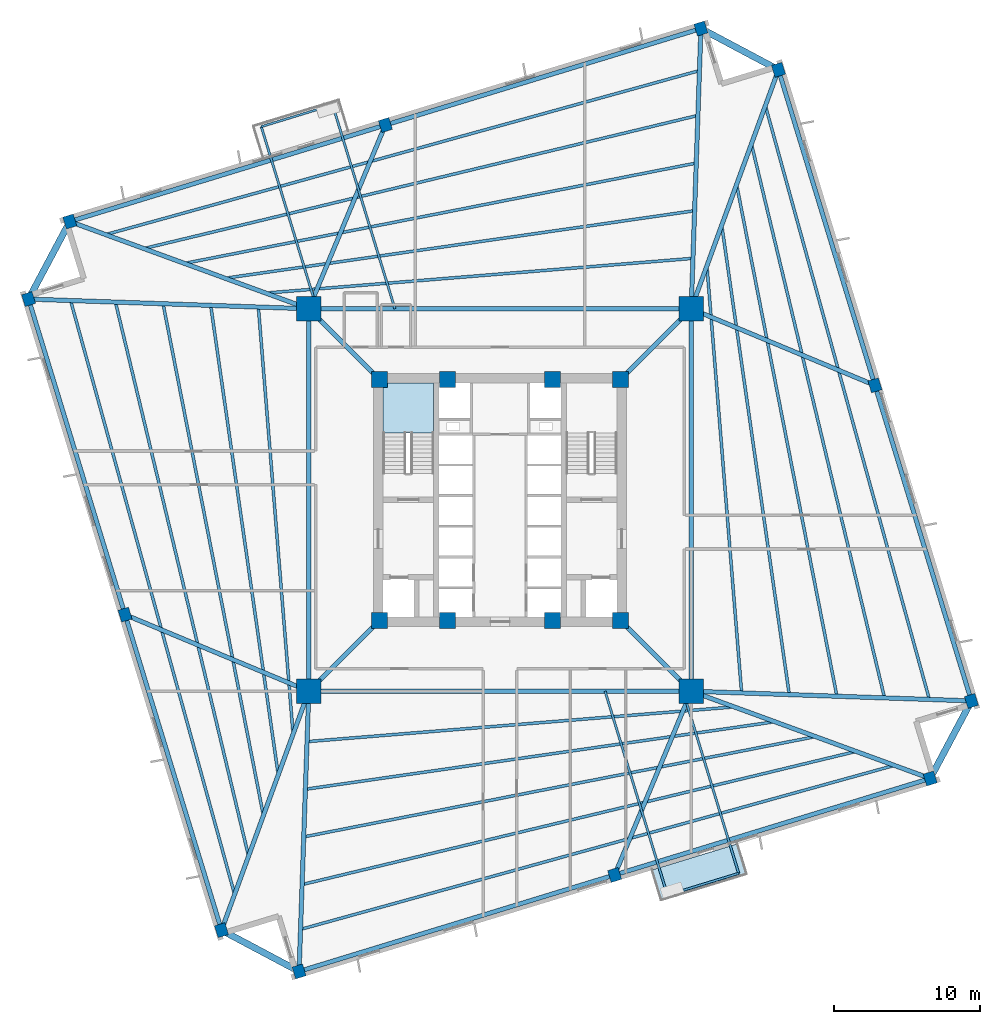
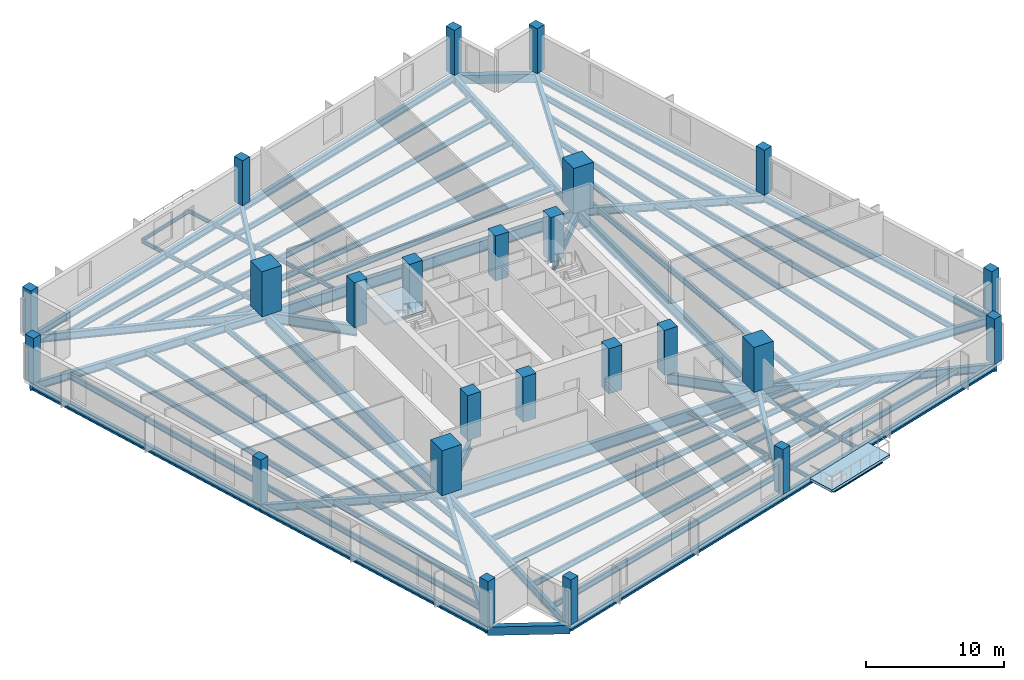
# One storey, part 1 of 8: 58 beams, 24 columns, 2 slabs, 1 element without a shape of its own.
"""IFC4 building model written with IfcOpenShell, lengths in metres."""

from ifc_helpers import new_model, si_unit, direction, frame, origin, origin_2d, place, context, subcontext, project, spatial, polyline, rectangle, i_section, outline, extrude, source, transform, mapped, material, layer, layer_set, material_profile, profile_set, type_object, element, aggregate, save


model = new_model("IFC4")

# Units and contexts
model_context = context("Model", 3, precision=1e-05, world=origin(), true_north=direction((0.0, 1.0)))
body_context = subcontext(model_context, "Body", "Model", "MODEL_VIEW")
ifc_project = project(units=[si_unit("LENGTHUNIT", "METRE"), si_unit("AREAUNIT", "SQUARE_METRE"), si_unit("VOLUMEUNIT", "CUBIC_METRE"), si_unit("PLANEANGLEUNIT", "RADIAN"), si_unit("MASSUNIT", "GRAM", prefix="KILO"), si_unit("THERMODYNAMICTEMPERATUREUNIT", "KELVIN")], contexts=[model_context])

# Site, building, storey
site_placement = place(None, origin())
site = spatial("IfcSite", under=ifc_project, at=site_placement, CompositionType="ELEMENT")
building_placement = place(site_placement, origin())
building = spatial("IfcBuilding", under=site, at=building_placement, Name="Kosmvard Interchange Tower", CompositionType="ELEMENT")
storey_placement = place(building_placement, frame((0.0, 0.0, 111.199951171875)))
storey = spatial("IfcBuildingStorey", under=building, at=storey_placement, Name="L26", CompositionType="ELEMENT", Elevation=111.199951171875)

# Columns
ifc_material_1 = material(Name="Concrete C80/95", Category="concrete")
ifc_material_profile_1 = material_profile(ifc_material_1, rectangle(XDim=1.10009765625, YDim=1.10009765625, at=origin_2d()), Name="CP 1100x1100")
ifc_profile_set_1 = profile_set([ifc_material_profile_1], Name="Concrete C80/95")
column_type_1 = type_object("IfcColumnType", Name="Core Boundary Pilaster 1100x1100 C80/95", PredefinedType="PILASTER", material=ifc_profile_set_1)
shared_shape_1 = source(origin(), body_context, "Body", "SweptSolid", [
    extrude(rectangle(XDim=1.10009765625, YDim=1.10009765625, at=origin_2d()), origin(), (0.0, 0.0, 1.0), 4.0),
])
for number, where, z_axis, x_axis, name in (
    (1, (-8.25, -8.25, 0.0), (0.0, 0.0, 1.0), (1.0, 0.0, 0.0), "L26 Core Pilaster CP1"),
    (2, (8.25, -8.25, 0.0), (0.0, 0.0, 1.0), (1.0, 0.0, 0.0), "L26 Core Pilaster CP2"),
    (3, (8.25, 8.25, 0.0), (0.0, 0.0, 1.0), (1.0, 0.0, 0.0), "L26 Core Pilaster CP3"),
    (4, (-8.25, 8.25, 0.0), (0.0, 0.0, 1.0), (1.0, 0.0, 0.0), "L26 Core Pilaster CP4"),
    (5, (-3.60009765625, -8.25, 0.0), (0.0, 0.0, 1.0), (1.0, 0.0, 0.0), "L26 Core Pilaster CP5"),
    (6, (3.60009765625, -8.25, 0.0), (0.0, 0.0, 1.0), (1.0, 0.0, 0.0), "L26 Core Pilaster CP6"),
    (7, (-3.60009765625, 8.25, 0.0), (0.0, 0.0, 1.0), (1.0, 0.0, 0.0), "L26 Core Pilaster CP7"),
    (8, (3.60009765625, 8.25, 0.0), (0.0, 0.0, 1.0), (1.0, 0.0, 0.0), "L26 Core Pilaster CP8"),
):
    element("IfcColumn", number, at=place(storey_placement, frame(where, z_axis=z_axis, x_axis=x_axis)), inside=storey, type_object=column_type_1, Name=name, PredefinedType="PILASTER", context=body_context, shape_type="MappedRepresentation", body=[
        mapped(shared_shape_1, transform((0.0, 0.0, 0.0), scale=1.0)),
    ])
ifc_material_2 = material(Name="Concrete C70/85", Category="concrete")
ifc_material_profile_2 = material_profile(ifc_material_2, rectangle(XDim=1.64990234375, YDim=1.64990234375, at=origin_2d()), Name="MC 1650x1650")
ifc_profile_set_2 = profile_set([ifc_material_profile_2], Name="Concrete C70/85")
column_type_2 = type_object("IfcColumnType", Name="Composite Mega-Column 1650x1650 C70/85", PredefinedType="COLUMN", material=ifc_profile_set_2)
shared_shape_2 = source(origin(), body_context, "Body", "SweptSolid", [
    extrude(rectangle(XDim=1.64990234375, YDim=1.64990234375, at=origin_2d()), origin(), (0.0, 0.0, 1.0), 4.0),
])
for number, where, z_axis, x_axis, name in (
    (9, (-13.0810546875, -13.0810546875, 0.0), (0.0, 0.0, 1.0), (1.0, 0.0, 0.0), "L26 Corner Mega-Column MC1"),
    (10, (13.0810546875, -13.0810546875, 0.0), (0.0, 0.0, 1.0), (1.0, 0.0, 0.0), "L26 Corner Mega-Column MC2"),
    (11, (13.0810546875, 13.0810546875, 0.0), (0.0, 0.0, 1.0), (1.0, 0.0, 0.0), "L26 Corner Mega-Column MC3"),
    (12, (-13.0810546875, 13.0810546875, 0.0), (0.0, 0.0, 1.0), (1.0, 0.0, 0.0), "L26 Corner Mega-Column MC4"),
):
    element("IfcColumn", number, at=place(storey_placement, frame(where, z_axis=z_axis, x_axis=x_axis)), inside=storey, type_object=column_type_2, Name=name, PredefinedType="COLUMN", context=body_context, shape_type="MappedRepresentation", body=[
        mapped(shared_shape_2, transform((0.0, 0.0, 0.0), scale=1.0)),
    ])
ifc_material_3 = material(Name="Concrete C60/75", Category="concrete")
ifc_material_profile_3 = material_profile(ifc_material_3, rectangle(XDim=0.75, YDim=0.85009765625, at=origin_2d()), Name="TC 850x750")
ifc_profile_set_3 = profile_set([ifc_material_profile_3], Name="Concrete C60/75")
column_type_3 = type_object("IfcColumnType", Name="Zone 2 Perimeter Pier Column 850x750 C60/75", PredefinedType="COLUMN", material=ifc_profile_set_3)
shared_shape_3 = source(origin(), body_context, "Body", "SweptSolid", [
    extrude(rectangle(XDim=0.75, YDim=0.85009765625, at=origin_2d()), origin(), (0.0, 0.0, 1.0), 4.0),
])
for number, where, z_axis, x_axis, name in (
    (13, (-13.74560546875, -32.253173828125, 0.0), (0.0, 0.0, 1.0), (0.956304755963, 0.292371704723, 0.0), "L26 Perimeter Pier Column TC-S1"),
    (14, (7.8427734375, -25.65283203125, 0.0), (0.0, 0.0, 1.0), (0.956304755963, 0.292371704723, 0.0), "L26 Perimeter Pier Column TC-S2"),
    (15, (29.431396484375, -19.052490234375, 0.0), (0.0, 0.0, 1.0), (0.956304755963, 0.292371704723, 0.0), "L26 Perimeter Pier Column TC-S3"),
    (16, (32.253173828125, -13.74560546875, 0.0), (0.0, 0.0, 1.0), (0.956304755963, 0.292371704723, 0.0), "L26 Perimeter Pier Column TC-E1"),
    (17, (25.65283203125, 7.8427734375, 0.0), (0.0, 0.0, 1.0), (0.956304755963, 0.292371704723, 0.0), "L26 Perimeter Pier Column TC-E2"),
    (18, (19.052490234375, 29.431396484375, 0.0), (0.0, 0.0, 1.0), (0.956304755963, 0.292371704723, 0.0), "L26 Perimeter Pier Column TC-E3"),
    (19, (13.74560546875, 32.253173828125, 0.0), (0.0, 0.0, 1.0), (0.956304755963, 0.292371704723, 0.0), "L26 Perimeter Pier Column TC-N1"),
    (20, (-7.8427734375, 25.65283203125, 0.0), (0.0, 0.0, 1.0), (0.956304755963, 0.292371704723, 0.0), "L26 Perimeter Pier Column TC-N2"),
    (21, (-29.431396484375, 19.052490234375, 0.0), (0.0, 0.0, 1.0), (0.956304755963, 0.292371704723, 0.0), "L26 Perimeter Pier Column TC-N3"),
    (22, (-32.253173828125, 13.74560546875, 0.0), (0.0, 0.0, 1.0), (0.956304755963, 0.292371704723, 0.0), "L26 Perimeter Pier Column TC-W1"),
    (23, (-25.65283203125, -7.8427734375, 0.0), (0.0, 0.0, 1.0), (0.956304755963, 0.292371704723, 0.0), "L26 Perimeter Pier Column TC-W2"),
    (24, (-19.052490234375, -29.431396484375, 0.0), (0.0, 0.0, 1.0), (0.956304755963, 0.292371704723, 0.0), "L26 Perimeter Pier Column TC-W3"),
):
    element("IfcColumn", number, at=place(storey_placement, frame(where, z_axis=z_axis, x_axis=x_axis)), inside=storey, type_object=column_type_3, Name=name, PredefinedType="COLUMN", context=body_context, shape_type="MappedRepresentation", body=[
        mapped(shared_shape_3, transform((0.0, 0.0, 0.0), scale=1.0)),
    ])

# Beams
ifc_material_4 = material(Name="Steel S460", Category="steel")
ifc_material_profile_4 = material_profile(ifc_material_4, i_section(OverallWidth=0.30810546875, OverallDepth=0.909912109375, WebThickness=0.02099609375, FlangeThickness=0.0400390625, FilletRadius=0.027099609375, at=origin_2d()), Name="HEM 900")
ifc_profile_set_4 = profile_set([ifc_material_profile_4], Name="Steel S460")
beam_type_1 = type_object("IfcBeamType", Name="Primary Mega-Frame Girder HEM 900 S460", PredefinedType="BEAM", material=ifc_profile_set_4)
shared_shape_4 = source(origin(), body_context, "Body", "SweptSolid", [
    extrude(i_section(OverallWidth=0.30810546875, OverallDepth=0.909912109375, WebThickness=0.02099609375, FlangeThickness=0.0400390625, FilletRadius=0.027099609375, at=origin_2d()), origin(), (0.0, 0.0, 1.0), 6.83203125),
])
for number, where, z_axis, x_axis, name in (
    (25, (-8.25, -8.25, -0.71484375), (-0.707106781187, -0.707106781187, 0.0), (0.707106781187, -0.707106781187, 0.0), "L26 Radial Mega-Frame Girder 1"),
    (26, (8.25, -8.25, -0.71484375), (0.707106781187, -0.707106781187, 0.0), (0.707106781187, 0.707106781187, 0.0), "L26 Radial Mega-Frame Girder 2"),
    (27, (8.25, 8.25, -0.71484375), (0.707106781187, 0.707106781187, 0.0), (-0.707106781187, 0.707106781187, 0.0), "L26 Radial Mega-Frame Girder 3"),
    (28, (-8.25, 8.25, -0.71484375), (-0.707106781187, 0.707106781187, 0.0), (-0.707106781187, -0.707106781187, 0.0), "L26 Radial Mega-Frame Girder 4"),
):
    element("IfcBeam", number, at=place(storey_placement, frame(where, z_axis=z_axis, x_axis=x_axis)), inside=storey, type_object=beam_type_1, Name=name, PredefinedType="BEAM", context=body_context, shape_type="MappedRepresentation", body=[
        mapped(shared_shape_4, transform((0.0, 0.0, 0.0), scale=1.0)),
    ])
ifc_material_profile_5 = material_profile(ifc_material_4, i_section(OverallWidth=0.30908203125, OverallDepth=1.008056640625, WebThickness=0.02099609375, FlangeThickness=0.0400390625, FilletRadius=0.030029296875, at=origin_2d()), Name="HEM 1000")
ifc_profile_set_5 = profile_set([ifc_material_profile_5], Name="Steel S460")
beam_type_2 = type_object("IfcBeamType", Name="Mega-Column Ring Girder HEM 1000 S460", PredefinedType="BEAM", material=ifc_profile_set_5)
shared_shape_5 = source(origin(), body_context, "Body", "SweptSolid", [
    extrude(i_section(OverallWidth=0.30908203125, OverallDepth=1.008056640625, WebThickness=0.02099609375, FlangeThickness=0.0400390625, FilletRadius=0.030029296875, at=origin_2d()), origin(), (0.0, 0.0, 1.0), 26.162109375),
])
for number, where, z_axis, x_axis, name in (
    (29, (-13.0810546875, -13.0810546875, -0.763916015625), (1.0, 0.0, 0.0), (0.0, 1.0, 0.0), "L26 Mega-Column Ring Girder 1"),
    (30, (13.0810546875, -13.0810546875, -0.763916015625), (0.0, 1.0, 0.0), (-1.0, 0.0, 0.0), "L26 Mega-Column Ring Girder 2"),
    (31, (13.0810546875, 13.0810546875, -0.763916015625), (-1.0, 0.0, 0.0), (0.0, -1.0, 0.0), "L26 Mega-Column Ring Girder 3"),
    (32, (-13.0810546875, 13.0810546875, -0.763916015625), (0.0, -1.0, 0.0), (1.0, 0.0, 0.0), "L26 Mega-Column Ring Girder 4"),
):
    element("IfcBeam", number, at=place(storey_placement, frame(where, z_axis=z_axis, x_axis=x_axis)), inside=storey, type_object=beam_type_2, Name=name, PredefinedType="BEAM", context=body_context, shape_type="MappedRepresentation", body=[
        mapped(shared_shape_5, transform((0.0, 0.0, 0.0), scale=1.0)),
    ])
ifc_material_5 = material(Name="Steel S355", Category="steel")
ifc_material_profile_6 = material_profile(ifc_material_5, i_section(OverallWidth=0.14990234375, OverallDepth=0.300048828125, WebThickness=0.007080078125, FlangeThickness=0.0107421875, FilletRadius=0.014892578125, at=origin_2d()), Name="IPE 300")
ifc_profile_set_6 = profile_set([ifc_material_profile_6], Name="Steel S355")
beam_type_3 = type_object("IfcBeamType", Name="Balcony Edge Header Joist IPE 300 S355", PredefinedType="JOIST", material=ifc_profile_set_6)
shared_shape_6 = source(origin(), body_context, "Body", "SweptSolid", [
    extrude(i_section(OverallWidth=0.14990234375, OverallDepth=0.300048828125, WebThickness=0.007080078125, FlangeThickness=0.0107421875, FilletRadius=0.014892578125, at=origin_2d()), origin(), (0.0, 0.0, 1.0), 5.099853515625),
])
for number, where, z_axis, x_axis, name in (
    (33, (-11.4541015625, 27.032470703125, -0.409912109375), (-0.956295066015, -0.292403397238, 0.0), (0.292403397238, -0.956295066015, 0.0), "BM-L26-BJH1"),
    (34, (11.4541015625, -27.032470703125, -0.409912109375), (0.956295066015, 0.292403397238, 0.0), (-0.292403397238, 0.956295066015, 0.0), "BM-L26-BJH2"),
):
    element("IfcBeam", number, at=place(storey_placement, frame(where, z_axis=z_axis, x_axis=x_axis)), inside=storey, type_object=beam_type_3, Name=name, PredefinedType="JOIST", context=body_context, shape_type="MappedRepresentation", body=[
        mapped(shared_shape_6, transform((0.0, 0.0, 0.0), scale=1.0)),
    ])
ifc_material_profile_7 = material_profile(ifc_material_5, i_section(OverallWidth=0.300048828125, OverallDepth=0.60009765625, WebThickness=0.015380859375, FlangeThickness=0.030029296875, FilletRadius=0.027099609375, at=origin_2d()), Name="HEB 600")
ifc_profile_set_7 = profile_set([ifc_material_profile_7], Name="Steel S355")
beam_type_4 = type_object("IfcBeamType", Name="Perimeter Tie Girder HEB 600 S355", PredefinedType="BEAM", material=ifc_profile_set_7)
shared_shape_7 = source(origin(), body_context, "Body", "SweptSolid", [
    extrude(i_section(OverallWidth=0.300048828125, OverallDepth=0.60009765625, WebThickness=0.015380859375, FlangeThickness=0.030029296875, FilletRadius=0.027099609375, at=origin_2d()), origin(), (0.0, 0.0, 1.0), 22.57470703125),
])
for number, where, z_axis, x_axis, name in (
    (35, (-13.74560546875, -32.253173828125, -0.56005859375), (0.956303368768, 0.292376241995, 0.0), (-0.292376241995, 0.956303368768, 0.0), "BM-L26-PR01"),
    (36, (32.253173828125, -13.74560546875, -0.56005859375), (-0.292376241995, 0.956303368768, 0.0), (-0.956303368768, -0.292376241995, 0.0), "BM-L26-PR04"),
    (37, (13.74560546875, 32.253173828125, -0.56005859375), (-0.956303368768, -0.292376241995, 0.0), (0.292376241995, -0.956303368768, 0.0), "BM-L26-PR07"),
    (38, (-32.253173828125, 13.74560546875, -0.56005859375), (0.292376241995, -0.956303368768, 0.0), (0.956303368768, 0.292376241995, 0.0), "BM-L26-PR10"),
):
    element("IfcBeam", number, at=place(storey_placement, frame(where, z_axis=z_axis, x_axis=x_axis)), inside=storey, type_object=beam_type_4, Name=name, PredefinedType="BEAM", context=body_context, shape_type="MappedRepresentation", body=[
        mapped(shared_shape_7, transform((0.0, 0.0, 0.0), scale=1.0)),
    ])
ifc_material_profile_8 = material_profile(ifc_material_5, i_section(OverallWidth=0.300048828125, OverallDepth=0.699951171875, WebThickness=0.01708984375, FlangeThickness=0.031982421875, FilletRadius=0.027099609375, at=origin_2d()), Name="HEB 700")
ifc_profile_set_8 = profile_set([ifc_material_profile_8], Name="Steel S355")
beam_type_5 = type_object("IfcBeamType", Name="Primary Floor Girder HEB 700 S355", PredefinedType="BEAM", material=ifc_profile_set_8)
shared_shape_8 = source(origin(), body_context, "Body", "SweptSolid", [
    extrude(i_section(OverallWidth=0.300048828125, OverallDepth=0.699951171875, WebThickness=0.01708984375, FlangeThickness=0.031982421875, FilletRadius=0.027099609375, at=origin_2d()), origin(), (0.0, 0.0, 1.0), 19.18359375),
])
for number, where, z_axis, x_axis, name in (
    (39, (-13.0810546875, -13.0810546875, -0.60986328125), (-0.034641549738, -0.999399801397, 0.0), (0.999399801397, -0.034641549738, 0.0), "BM-L26-RD01"),
    (40, (13.0810546875, -13.0810546875, -0.60986328125), (0.999399801397, -0.034641549738, 0.0), (0.034641549738, 0.999399801397, 0.0), "BM-L26-RD04"),
    (41, (13.0810546875, 13.0810546875, -0.60986328125), (0.034641549738, 0.999399801397, 0.0), (-0.999399801397, 0.034641549738, 0.0), "BM-L26-RD07"),
    (42, (-13.0810546875, 13.0810546875, -0.60986328125), (-0.999399801397, 0.034641549738, 0.0), (-0.034641549738, -0.999399801397, 0.0), "BM-L26-RD10"),
):
    element("IfcBeam", number, at=place(storey_placement, frame(where, z_axis=z_axis, x_axis=x_axis)), inside=storey, type_object=beam_type_5, Name=name, PredefinedType="BEAM", context=body_context, shape_type="MappedRepresentation", body=[
        mapped(shared_shape_8, transform((0.0, 0.0, 0.0), scale=1.0)),
    ])
shared_shape_9 = source(origin(), body_context, "Body", "SweptSolid", [
    extrude(i_section(OverallWidth=0.300048828125, OverallDepth=0.60009765625, WebThickness=0.015380859375, FlangeThickness=0.030029296875, FilletRadius=0.027099609375, at=origin_2d()), origin(), (0.0, 0.0, 1.0), 22.574951171875),
])
for number, where, z_axis, x_axis, name in (
    (43, (7.8427734375, -25.65283203125, -0.56005859375), (0.956304293239, 0.292373218222, 0.0), (-0.292373218222, 0.956304293239, 0.0), "BM-L26-PR02"),
    (44, (25.65283203125, 7.8427734375, -0.56005859375), (-0.292373218222, 0.956304293239, 0.0), (-0.956304293239, -0.292373218222, 0.0), "BM-L26-PR05"),
    (45, (-7.8427734375, 25.65283203125, -0.56005859375), (-0.956304293239, -0.292373218222, 0.0), (0.292373218222, -0.956304293239, 0.0), "BM-L26-PR08"),
    (46, (-25.65283203125, -7.8427734375, -0.56005859375), (0.292373218222, -0.956304293239, 0.0), (0.956304293239, 0.292373218222, 0.0), "BM-L26-PR11"),
):
    element("IfcBeam", number, at=place(storey_placement, frame(where, z_axis=z_axis, x_axis=x_axis)), inside=storey, type_object=beam_type_4, Name=name, PredefinedType="BEAM", context=body_context, shape_type="MappedRepresentation", body=[
        mapped(shared_shape_9, transform((0.0, 0.0, 0.0), scale=1.0)),
    ])
shared_shape_10 = source(origin(), body_context, "Body", "SweptSolid", [
    extrude(i_section(OverallWidth=0.300048828125, OverallDepth=0.699951171875, WebThickness=0.01708984375, FlangeThickness=0.031982421875, FilletRadius=0.027099609375, at=origin_2d()), origin(), (0.0, 0.0, 1.0), 13.619384765625),
])
for number, where, z_axis, x_axis, name in (
    (47, (13.0810546875, -13.0810546875, -0.60986328125), (-0.384617930303, -0.92307586237, 0.0), (0.92307586237, -0.384617930303, 0.0), "BM-L26-RD02"),
    (48, (13.0810546875, 13.0810546875, -0.60986328125), (0.92307586237, -0.384617930303, 0.0), (0.384617930303, 0.92307586237, 0.0), "BM-L26-RD05"),
    (49, (-13.0810546875, 13.0810546875, -0.60986328125), (0.384617930303, 0.92307586237, 0.0), (-0.92307586237, 0.384617930303, 0.0), "BM-L26-RD08"),
    (50, (-13.0810546875, -13.0810546875, -0.60986328125), (-0.92307586237, 0.384617930303, 0.0), (-0.384617930303, -0.92307586237, 0.0), "BM-L26-RD11"),
):
    element("IfcBeam", number, at=place(storey_placement, frame(where, z_axis=z_axis, x_axis=x_axis)), inside=storey, type_object=beam_type_5, Name=name, PredefinedType="BEAM", context=body_context, shape_type="MappedRepresentation", body=[
        mapped(shared_shape_10, transform((0.0, 0.0, 0.0), scale=1.0)),
    ])
ifc_material_6 = material(Name="Precast concrete C45/55", Category="concrete")
ifc_material_profile_9 = material_profile(ifc_material_6, rectangle(XDim=0.449951171875, YDim=0.75, at=origin_2d()), Name="SL 450x750")
ifc_profile_set_9 = profile_set([ifc_material_profile_9], Name="Precast concrete C45/55")
beam_type_6 = type_object("IfcBeamType", Name="Precast Spandrel Lintel 450x750 C45/55", PredefinedType="LINTEL", material=ifc_profile_set_9)
shared_shape_11 = source(origin(), body_context, "Body", "SweptSolid", [
    extrude(rectangle(XDim=0.449951171875, YDim=0.75, at=origin_2d()), origin(), (0.0, 0.0, 1.0), 6.010498046875),
])
for number, where, z_axis, x_axis, name in (
    (51, (29.431396484375, -19.052490234375, -0.635009765625), (0.469478912111, 0.882943685114, 0.0), (-0.882943685114, 0.469478912111, 0.0), "BM-L26-SL1"),
    (52, (19.052490234375, 29.431396484375, -0.635009765625), (-0.882943685114, 0.469478912111, 0.0), (-0.469478912111, -0.882943685114, 0.0), "BM-L26-SL2"),
    (53, (-29.431396484375, 19.052490234375, -0.635009765625), (-0.469478912111, -0.882943685114, 0.0), (0.882943685114, -0.469478912111, 0.0), "BM-L26-SL3"),
    (54, (-19.052490234375, -29.431396484375, -0.635009765625), (0.882943685114, -0.469478912111, 0.0), (0.469478912111, 0.882943685114, 0.0), "BM-L26-SL4"),
):
    element("IfcBeam", number, at=place(storey_placement, frame(where, z_axis=z_axis, x_axis=x_axis)), inside=storey, type_object=beam_type_6, Name=name, PredefinedType="LINTEL", context=body_context, shape_type="MappedRepresentation", body=[
        mapped(shared_shape_11, transform((0.0, 0.0, 0.0), scale=1.0)),
    ])
shared_shape_12 = source(origin(), body_context, "Body", "SweptSolid", [
    extrude(i_section(OverallWidth=0.300048828125, OverallDepth=0.699951171875, WebThickness=0.01708984375, FlangeThickness=0.031982421875, FilletRadius=0.027099609375, at=origin_2d()), origin(), (0.0, 0.0, 1.0), 17.40673828125),
])
for number, where, z_axis, x_axis, name in (
    (55, (13.0810546875, -13.0810546875, -0.60986328125), (0.939315429031, -0.343054696491, 0.0), (0.343054696491, 0.939315429031, 0.0), "BM-L26-RD03"),
    (56, (13.0810546875, 13.0810546875, -0.60986328125), (0.343054696491, 0.939315429031, 0.0), (-0.939315429031, 0.343054696491, 0.0), "BM-L26-RD06"),
    (57, (-13.0810546875, 13.0810546875, -0.60986328125), (-0.939315429031, 0.343054696491, 0.0), (-0.343054696491, -0.939315429031, 0.0), "BM-L26-RD09"),
    (58, (-13.0810546875, -13.0810546875, -0.60986328125), (-0.343054696491, -0.939315429031, 0.0), (0.939315429031, -0.343054696491, 0.0), "BM-L26-RD12"),
):
    element("IfcBeam", number, at=place(storey_placement, frame(where, z_axis=z_axis, x_axis=x_axis)), inside=storey, type_object=beam_type_5, Name=name, PredefinedType="BEAM", context=body_context, shape_type="MappedRepresentation", body=[
        mapped(shared_shape_12, transform((0.0, 0.0, 0.0), scale=1.0)),
    ])
ifc_material_profile_10 = material_profile(ifc_material_5, i_section(OverallWidth=0.199951171875, OverallDepth=0.5, WebThickness=0.01025390625, FlangeThickness=0.01611328125, FilletRadius=0.02099609375, at=origin_2d()), Name="IPE 500")
ifc_profile_set_10 = profile_set([ifc_material_profile_10], Name="Steel S355")
beam_type_7 = type_object("IfcBeamType", Name="Standard Floor Joist IPE 500 S355", PredefinedType="JOIST", material=ifc_profile_set_10)
shared_shape_13 = source(origin(), body_context, "Body", "SweptSolid", [
    extrude(i_section(OverallWidth=0.199951171875, OverallDepth=0.5, WebThickness=0.01025390625, FlangeThickness=0.01611328125, FilletRadius=0.02099609375, at=origin_2d()), origin(), (0.0, 0.0, 1.0), 29.1611328125),
])
for number, where, z_axis, x_axis, name in (
    (59, (-13.120849609375, -16.525390625, -0.510009765625), (0.99671134435, 0.081033919093, 0.0), (-0.081033919093, 0.99671134435, 0.0), "BM-L26-FJ01"),
    (60, (16.525390625, -13.120849609375, -0.510009765625), (-0.081033919093, 0.99671134435, 0.0), (-0.99671134435, -0.081033919093, 0.0), "BM-L26-FJ06"),
    (61, (13.120849609375, 16.525390625, -0.510009765625), (-0.99671134435, -0.081033919093, 0.0), (0.081033919093, -0.99671134435, 0.0), "BM-L26-FJ11"),
    (62, (-16.525390625, 13.120849609375, -0.510009765625), (0.081033919093, -0.99671134435, 0.0), (0.99671134435, 0.081033919093, 0.0), "BM-L26-FJ16"),
):
    element("IfcBeam", number, at=place(storey_placement, frame(where, z_axis=z_axis, x_axis=x_axis)), inside=storey, type_object=beam_type_7, Name=name, PredefinedType="JOIST", context=body_context, shape_type="MappedRepresentation", body=[
        mapped(shared_shape_13, transform((0.0, 0.0, 0.0), scale=1.0)),
    ])
shared_shape_14 = source(origin(), body_context, "Body", "SweptSolid", [
    extrude(i_section(OverallWidth=0.199951171875, OverallDepth=0.5, WebThickness=0.01025390625, FlangeThickness=0.01611328125, FilletRadius=0.02099609375, at=origin_2d()), origin(), (0.0, 0.0, 1.0), 32.287841796875),
])
for number, where, z_axis, x_axis, name in (
    (63, (-13.234375, -19.77978515625, -0.510009765625), (0.989810798314, 0.142388846268, 0.0), (-0.142388846268, 0.989810798314, 0.0), "BM-L26-FJ02"),
    (64, (19.77978515625, -13.234375, -0.510009765625), (-0.142388846268, 0.989810798314, 0.0), (-0.989810798314, -0.142388846268, 0.0), "BM-L26-FJ07"),
    (65, (13.234375, 19.77978515625, -0.510009765625), (-0.989810798314, -0.142388846268, 0.0), (0.142388846268, -0.989810798314, 0.0), "BM-L26-FJ12"),
    (66, (-19.77978515625, 13.234375, -0.510009765625), (0.142388846268, -0.989810798314, 0.0), (0.989810798314, 0.142388846268, 0.0), "BM-L26-FJ17"),
):
    element("IfcBeam", number, at=place(storey_placement, frame(where, z_axis=z_axis, x_axis=x_axis)), inside=storey, type_object=beam_type_7, Name=name, PredefinedType="JOIST", context=body_context, shape_type="MappedRepresentation", body=[
        mapped(shared_shape_14, transform((0.0, 0.0, 0.0), scale=1.0)),
    ])
shared_shape_15 = source(origin(), body_context, "Body", "SweptSolid", [
    extrude(i_section(OverallWidth=0.199951171875, OverallDepth=0.5, WebThickness=0.01025390625, FlangeThickness=0.01611328125, FilletRadius=0.02099609375, at=origin_2d()), origin(), (0.0, 0.0, 1.0), 35.516357421875),
])
for number, where, z_axis, x_axis, name in (
    (67, (-13.34814453125, -23.03515625, -0.510009765625), (0.981315785618, 0.192404077134, 0.0), (-0.192404077134, 0.981315785618, 0.0), "BM-L26-FJ03"),
    (68, (23.03515625, -13.34814453125, -0.510009765625), (-0.192404077134, 0.981315785618, 0.0), (-0.981315785618, -0.192404077134, 0.0), "BM-L26-FJ08"),
    (69, (13.34814453125, 23.03515625, -0.510009765625), (-0.981315785618, -0.192404077134, 0.0), (0.192404077134, -0.981315785618, 0.0), "BM-L26-FJ13"),
    (70, (-23.03515625, 13.34814453125, -0.510009765625), (0.192404077134, -0.981315785618, 0.0), (0.981315785618, 0.192404077134, 0.0), "BM-L26-FJ18"),
):
    element("IfcBeam", number, at=place(storey_placement, frame(where, z_axis=z_axis, x_axis=x_axis)), inside=storey, type_object=beam_type_7, Name=name, PredefinedType="JOIST", context=body_context, shape_type="MappedRepresentation", body=[
        mapped(shared_shape_15, transform((0.0, 0.0, 0.0), scale=1.0)),
    ])
shared_shape_16 = source(origin(), body_context, "Body", "SweptSolid", [
    extrude(i_section(OverallWidth=0.199951171875, OverallDepth=0.5, WebThickness=0.01025390625, FlangeThickness=0.01611328125, FilletRadius=0.02099609375, at=origin_2d()), origin(), (0.0, 0.0, 1.0), 38.821533203125),
])
for number, where, z_axis, x_axis, name in (
    (71, (-13.4619140625, -26.291015625, -0.510009765625), (0.972318244358, 0.233660505198, 0.0), (-0.233660505198, 0.972318244358, 0.0), "BM-L26-FJ04"),
    (72, (26.291015625, -13.4619140625, -0.510009765625), (-0.233660505198, 0.972318244358, 0.0), (-0.972318244358, -0.233660505198, 0.0), "BM-L26-FJ09"),
    (73, (13.4619140625, 26.291015625, -0.510009765625), (-0.972318244358, -0.233660505198, 0.0), (0.233660505198, -0.972318244358, 0.0), "BM-L26-FJ14"),
    (74, (-26.291015625, 13.4619140625, -0.510009765625), (0.233660505198, -0.972318244358, 0.0), (0.972318244358, 0.233660505198, 0.0), "BM-L26-FJ19"),
):
    element("IfcBeam", number, at=place(storey_placement, frame(where, z_axis=z_axis, x_axis=x_axis)), inside=storey, type_object=beam_type_7, Name=name, PredefinedType="JOIST", context=body_context, shape_type="MappedRepresentation", body=[
        mapped(shared_shape_16, transform((0.0, 0.0, 0.0), scale=1.0)),
    ])
shared_shape_17 = source(origin(), body_context, "Body", "SweptSolid", [
    extrude(i_section(OverallWidth=0.199951171875, OverallDepth=0.5, WebThickness=0.01025390625, FlangeThickness=0.01611328125, FilletRadius=0.02099609375, at=origin_2d()), origin(), (0.0, 0.0, 1.0), 41.98583984375),
])
for number, where, z_axis, x_axis, name in (
    (75, (-13.56884765625, -29.35595703125, -0.510009765625), (0.96391074105, 0.266225624778, 0.0), (-0.266225624778, 0.96391074105, 0.0), "BM-L26-FJ05"),
    (76, (29.35595703125, -13.56884765625, -0.510009765625), (-0.266225624778, 0.96391074105, 0.0), (-0.96391074105, -0.266225624778, 0.0), "BM-L26-FJ10"),
    (77, (13.56884765625, 29.35595703125, -0.510009765625), (-0.96391074105, -0.266225624778, 0.0), (0.266225624778, -0.96391074105, 0.0), "BM-L26-FJ15"),
    (78, (-29.35595703125, 13.56884765625, -0.510009765625), (0.266225624778, -0.96391074105, 0.0), (0.96391074105, 0.266225624778, 0.0), "BM-L26-FJ20"),
):
    element("IfcBeam", number, at=place(storey_placement, frame(where, z_axis=z_axis, x_axis=x_axis)), inside=storey, type_object=beam_type_7, Name=name, PredefinedType="JOIST", context=body_context, shape_type="MappedRepresentation", body=[
        mapped(shared_shape_17, transform((0.0, 0.0, 0.0), scale=1.0)),
    ])
ifc_material_profile_11 = material_profile(ifc_material_5, i_section(OverallWidth=0.159912109375, OverallDepth=0.330078125, WebThickness=0.007568359375, FlangeThickness=0.011474609375, FilletRadius=0.01806640625, at=origin_2d()), Name="IPE 330")
ifc_profile_set_11 = profile_set([ifc_material_profile_11], Name="Steel S355")
beam_type_8 = type_object("IfcBeamType", Name="Balcony Cantilever Joist IPE 330 S355", PredefinedType="JOIST", material=ifc_profile_set_11)
shared_shape_18 = source(origin(), body_context, "Body", "SweptSolid", [
    extrude(i_section(OverallWidth=0.159912109375, OverallDepth=0.330078125, WebThickness=0.007568359375, FlangeThickness=0.011474609375, FilletRadius=0.01806640625, at=origin_2d()), origin(), (0.0, 0.0, 1.0), 14.5888671875),
])
for number, where, z_axis, x_axis, name in (
    (79, (-7.188720703125, 13.0810546875, -0.425048828125), (-0.292372013991, 0.95630466141, 0.0), (-0.95630466141, -0.292372013991, 0.0), "BM-L26-BJ1"),
    (80, (7.188720703125, -13.0810546875, -0.425048828125), (0.292372013991, -0.95630466141, 0.0), (0.95630466141, 0.292372013991, 0.0), "BM-L26-BJ2"),
):
    element("IfcBeam", number, at=place(storey_placement, frame(where, z_axis=z_axis, x_axis=x_axis)), inside=storey, type_object=beam_type_8, Name=name, PredefinedType="JOIST", context=body_context, shape_type="MappedRepresentation", body=[
        mapped(shared_shape_18, transform((0.0, 0.0, 0.0), scale=1.0)),
    ])
shared_shape_19 = source(origin(), body_context, "Body", "SweptSolid", [
    extrude(i_section(OverallWidth=0.159912109375, OverallDepth=0.330078125, WebThickness=0.007568359375, FlangeThickness=0.011474609375, FilletRadius=0.01806640625, at=origin_2d()), origin(), (0.0, 0.0, 1.0), 13.029541015625),
])
for number, where, z_axis, x_axis, name in (
    (81, (-12.521728515625, 13.0810546875, -0.425048828125), (-0.292361820938, 0.956307777684, 0.0), (-0.956307777684, -0.292361820938, 0.0), "BM-L26-BJB1"),
    (82, (12.521728515625, -13.0810546875, -0.425048828125), (0.292361820938, -0.956307777684, 0.0), (0.956307777684, 0.292361820938, 0.0), "BM-L26-BJB2"),
):
    element("IfcBeam", number, at=place(storey_placement, frame(where, z_axis=z_axis, x_axis=x_axis)), inside=storey, type_object=beam_type_8, Name=name, PredefinedType="JOIST", context=body_context, shape_type="MappedRepresentation", body=[
        mapped(shared_shape_19, transform((0.0, 0.0, 0.0), scale=1.0)),
    ])

# Stair, slab
ifc_material_7 = material(Name="Concrete C50/60", Category="concrete")
stair_type = type_object("IfcStairType", Name="Dog-Leg Core Exit Stair H4000 C50/60", PredefinedType="HALF_TURN_STAIR", material=ifc_material_7)
stair_placement = place(storey_placement, origin())
stair = element("IfcStair", 83, at=stair_placement, inside=storey, type_object=stair_type, Name="L26 Protected Exit Stair ST-1", PredefinedType="HALF_TURN_STAIR")
ifc_layer_1 = layer(ifc_material_7, 0.199951171875, Name="Concrete C50/60")
ifc_layer_set_1 = layer_set([ifc_layer_1], Name="Concrete C50/60")
slab_type_1 = type_object("IfcSlabType", Name="Stair Half-Landing Slab 200 C50/60", PredefinedType="LANDING", material=ifc_layer_set_1)
slab_1_placement = place(storey_placement, frame((0.0, 0.0, 1.800048828125)))
slab_1 = element("IfcSlab", 84, at=slab_1_placement, type_object=slab_type_1, Name="ST-1 landing 1", PredefinedType="LANDING", context=body_context, shape_type="SweptSolid", body=[
    extrude(outline(polyline([(-4.5400390625, 4.60009765625), (-4.5400390625, 8.0), (-8.0, 8.0), (-8.0, 4.60009765625), (-4.5400390625, 4.60009765625)])), origin(), (0.0, 0.0, 1.0), 0.199951171875),
])
aggregate(stair, [slab_1])

# Slab
ifc_layer_2 = layer(ifc_material_7, 0.22998046875, Name="Concrete C50/60")
ifc_layer_set_2 = layer_set([ifc_layer_2], Name="Concrete C50/60")
slab_type_2 = type_object("IfcSlabType", Name="Tree-Planter Cantilever Balcony Slab 230 C50/60", PredefinedType="FLOOR", material=ifc_layer_set_2)
slab_2_placement = place(storey_placement, frame((0.0, 0.0, -0.22998046875)))
element("IfcSlab", 85, at=slab_2_placement, inside=storey, type_object=slab_type_2, Name="L26 Outdoor Terrace Balcony Slab BAL-L26-SW", PredefinedType="FLOOR", context=body_context, shape_type="SweptSolid", body=[
    extrude(outline(polyline([(11.001220703125, -27.43212890625), (16.93017578125, -25.61962890625), (16.286865234375, -23.515625), (10.35791015625, -25.328369140625), (11.001220703125, -27.43212890625)])), origin(), (0.0, 0.0, 1.0), 0.22998046875),
])

save(model, "model.ifc")
